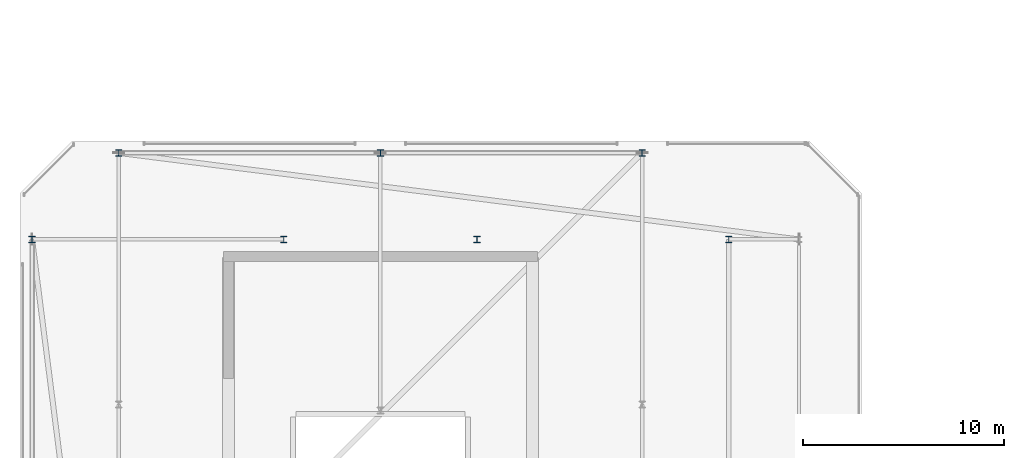
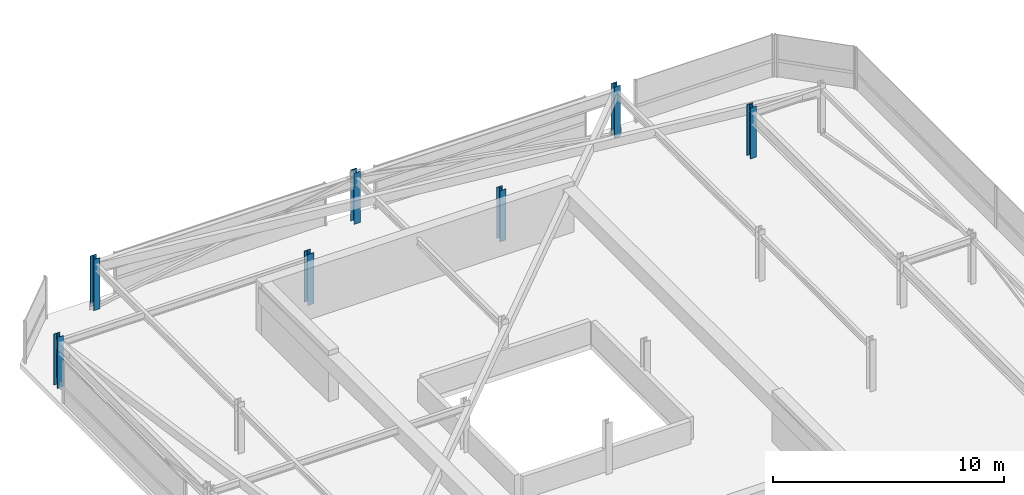
# One storey, part 4 of 44: 7 columns.
"""IFC4 building model written with IfcOpenShell, lengths in metres."""

from ifc_helpers import new_model, si_unit, direction, frame, origin, origin_2d, place, context, subcontext, project, spatial, i_section, extrude, material, material_profile, profile_set, type_object, element, save


model = new_model("IFC4")

# Units and contexts
model_context = context("Model", 3, precision=1e-05, world=origin(), true_north=direction((0.0, 1.0)))
body_context = subcontext(model_context, "Body", "Model", "MODEL_VIEW")
ifc_project = project(units=[si_unit("LENGTHUNIT", "METRE"), si_unit("AREAUNIT", "SQUARE_METRE"), si_unit("VOLUMEUNIT", "CUBIC_METRE"), si_unit("PLANEANGLEUNIT", "RADIAN"), si_unit("MASSUNIT", "GRAM", prefix="KILO")], contexts=[model_context])

# Site, building, storey
site_placement = place(None, origin())
site = spatial("IfcSite", under=ifc_project, at=site_placement, CompositionType="ELEMENT")
building_placement = place(site_placement, origin())
building = spatial("IfcBuilding", under=site, at=building_placement, Name="Thornwick Lancets Civic Towers", CompositionType="ELEMENT")
storey_placement = place(building_placement, frame((0.0, 0.0, 294.89990234375)))
storey = spatial("IfcBuildingStorey", under=building, at=storey_placement, Name="C06", CompositionType="ELEMENT", Elevation=294.89990234375)

# Columns
ifc_material = material(Name="Steel S355JR", Category="steel")
ifc_material_profile = material_profile(ifc_material, i_section(OverallWidth=0.30908203125, OverallDepth=0.320556640625, WebThickness=0.013916015625, FlangeThickness=0.021728515625, FilletRadius=0.01513671875, at=origin_2d()), Name="UKC 305x305x137")
ifc_profile_set = profile_set([ifc_material_profile], Name="Steel S355JR")
column_type = type_object("IfcColumnType", Name="COL_UKC_137", PredefinedType="COLUMN", material=ifc_profile_set)
for number, where, z_axis, x_axis, name in (
    (1, (42.800048828125, 40.0, 0.0), (0.0, 0.0, 1.0), (1.0, 0.0, 0.0), "C06 Spine Mega-Column A06"),
    (2, (12.5, 44.300048828125, 0.0), (0.0, 0.0, 1.0), (1.0, 0.0, 0.0), "C06 Spine Mega-Column A07"),
    (3, (25.5, 44.300048828125, 0.0), (0.0, 0.0, 1.0), (1.0, 0.0, 0.0), "C06 Spine Mega-Column A08"),
    (4, (38.5, 44.300048828125, 0.0), (0.0, 0.0, 1.0), (1.0, 0.0, 0.0), "C06 Spine Mega-Column A09"),
    (5, (8.199951171875, 40.0, 0.0), (0.0, 0.0, 1.0), (1.0, 0.0, 0.0), "C06 Spine Mega-Column A12"),
    (6, (20.699951171875, 40.0, 0.0), (0.0, 0.0, 1.0), (1.0, 0.0, 0.0), "C06 Spine Mega-Column A19"),
    (7, (30.300048828125, 40.0, 0.0), (0.0, 0.0, 1.0), (1.0, 0.0, 0.0), "C06 Spine Mega-Column A20"),
):
    element("IfcColumn", number, at=place(storey_placement, frame(where, z_axis=z_axis, x_axis=x_axis)), inside=storey, type_object=column_type, Name=name, PredefinedType="COLUMN", context=body_context, shape_type="SweptSolid", body=[
        extrude(i_section(OverallWidth=0.30908203125, OverallDepth=0.320556640625, WebThickness=0.013916015625, FlangeThickness=0.021728515625, FilletRadius=0.01513671875, at=origin_2d()), origin(), (0.0, 0.0, 1.0), 2.7001953125),
    ])

save(model, "model.ifc")
